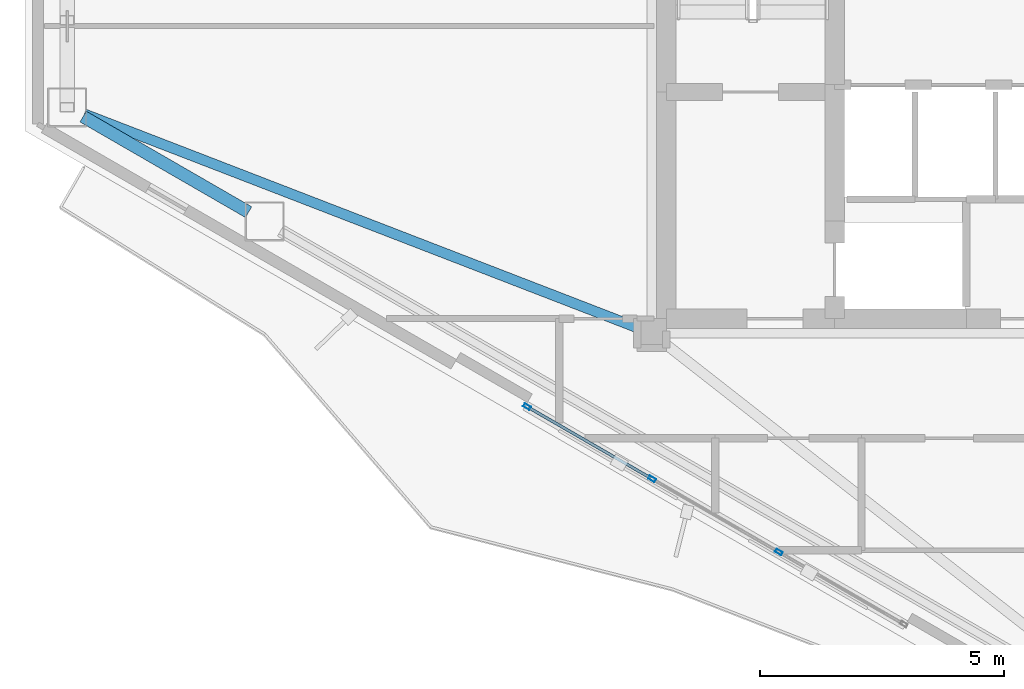
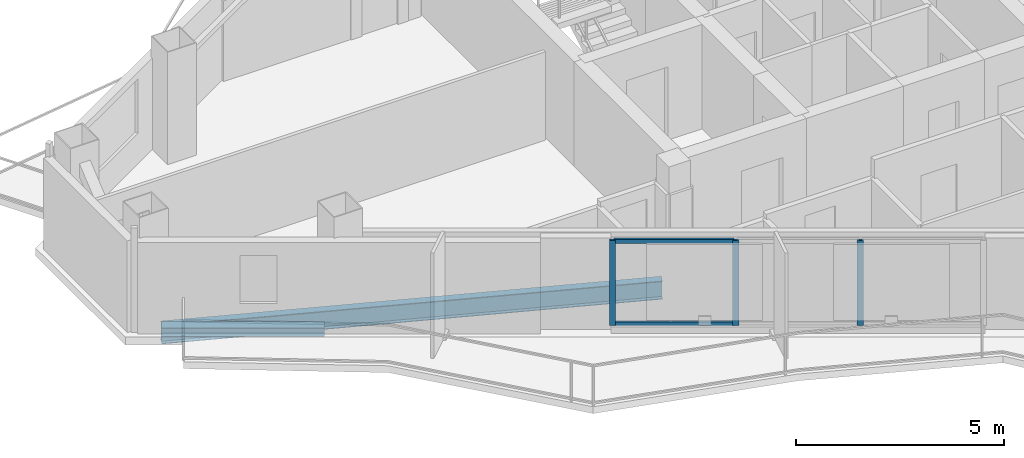
# One storey, part 2 of 21: 5 members, 2 beams, 1 element without a shape of its own.
"""IFC4 building model written with IfcOpenShell, lengths in metres."""

from ifc_helpers import new_model, si_unit, direction, frame, origin, origin_2d, place, context, subcontext, project, spatial, hollow_rectangle, i_section, extrude, material, layer, layer_set, material_profile, profile_set, type_object, element, aggregate, save


model = new_model("IFC4")

# Units and contexts
model_context = context("Model", 3, precision=1e-05, world=origin(), true_north=direction((0.0, 1.0)))
body_context = subcontext(model_context, "Body", "Model", "MODEL_VIEW")
ifc_project = project(units=[si_unit("LENGTHUNIT", "METRE"), si_unit("AREAUNIT", "SQUARE_METRE"), si_unit("VOLUMEUNIT", "CUBIC_METRE"), si_unit("PLANEANGLEUNIT", "RADIAN"), si_unit("MASSUNIT", "GRAM", prefix="KILO")], contexts=[model_context])

# Site, building, storey
site_placement = place(None, origin())
site = spatial("IfcSite", under=ifc_project, at=site_placement, CompositionType="ELEMENT")
building_placement = place(site_placement, origin())
building = spatial("IfcBuilding", under=site, at=building_placement, Name="Mersakhor Tower and Convention Hall", CompositionType="ELEMENT")
storey_placement = place(building_placement, frame((0.0, 0.0, 211.800048828125)))
storey = spatial("IfcBuildingStorey", under=building, at=storey_placement, Name="L59", CompositionType="ELEMENT", Elevation=211.800048828125)

# Beams
ifc_material_1 = material(Name="Steel S355", Category="steel")
ifc_material_profile_1 = material_profile(ifc_material_1, i_section(OverallWidth=0.2099609375, OverallDepth=0.53662109375, WebThickness=0.0107421875, FlangeThickness=0.017333984375, at=origin_2d()), Name="UB 533x210x101")
ifc_profile_set_1 = profile_set([ifc_material_profile_1], Name="Steel S355")
beam_type_1 = type_object("IfcBeamType", Name="BM-FB-533", PredefinedType="BEAM", material=ifc_profile_set_1)
beam_1_placement = place(storey_placement, frame((21.638916015625, 20.55078125, -0.49853515625), z_axis=(-0.932761425449, 0.36049427623, 0.0), x_axis=(-0.36049427623, -0.932761425449, 0.0)))
element("IfcBeam", 1, at=beam_1_placement, inside=storey, type_object=beam_type_1, Name="L59 Primary Floor Girder FG-6", PredefinedType="BEAM", context=body_context, shape_type="SweptSolid", body=[
    extrude(i_section(OverallWidth=0.2099609375, OverallDepth=0.53662109375, WebThickness=0.0107421875, FlangeThickness=0.017333984375, at=origin_2d()), origin(), (0.0, 0.0, 1.0), 12.197021484375),
])
ifc_material_2 = material(Name="Steel S355", Category="steel")
ifc_material_profile_2 = material_profile(ifc_material_2, i_section(OverallWidth=0.25634765625, OverallDepth=0.26025390625, WebThickness=0.01025390625, FlangeThickness=0.017333984375, at=origin_2d()), Name="UC 254x254x89")
ifc_profile_set_2 = profile_set([ifc_material_profile_2], Name="Steel S355")
beam_type_2 = type_object("IfcBeamType", Name="BM-SPD-UC254", PredefinedType="SPANDREL", material=ifc_profile_set_2)
beam_2_placement = place(storey_placement, frame((13.630615234375, 22.93505859375, -0.360107421875), z_axis=(-0.866007153761, 0.500031608635, 0.0), x_axis=(-0.500031608635, -0.866007153761, 0.0)))
element("IfcBeam", 2, at=beam_2_placement, inside=storey, type_object=beam_type_2, Name="L59 Perimeter Spandrel Beam SPB-11", PredefinedType="SPANDREL", context=body_context, shape_type="SweptSolid", body=[
    extrude(i_section(OverallWidth=0.25634765625, OverallDepth=0.26025390625, WebThickness=0.01025390625, FlangeThickness=0.017333984375, at=origin_2d()), origin(), (0.0, 0.0, 1.0), 3.919189453125),
])

# Curtain wall, members
ifc_material_3 = material(Name="Dark solar low-E aluminium curtain wall", Category="aluminium")
ifc_layer = layer(ifc_material_3, 0.169921875)
ifc_layer_set = layer_set([ifc_layer], Name="Dark solar low-E aluminium curtain wall")
curtain_wall_type = type_object("IfcCurtainWallType", Name="CW-SYS-02", PredefinedType="USERDEFINED", material=ifc_layer_set)
curtain_wall_placement = place(storey_placement, origin())
curtain_wall = element("IfcCurtainWall", 3, at=curtain_wall_placement, inside=storey, type_object=curtain_wall_type, Name="L59 Dark-Glass Curtain Wall F3-B2", ObjectType="CURTAIN WALL", PredefinedType="USERDEFINED")
ifc_material_4 = material(Name="Anodised aluminium EN AW-6063 T6", Category="aluminium")
ifc_material_profile_3 = material_profile(ifc_material_4, hollow_rectangle(XDim=0.074951171875, YDim=0.14990234375, WallThickness=0.00634765625, at=origin_2d()), Name="RHS 150x75x6.3")
ifc_profile_set_3 = profile_set([ifc_material_profile_3], Name="Anodised aluminium EN AW-6063 T6")
member_type_1 = type_object("IfcMemberType", Name="CWM-150x75", PredefinedType="MULLION", material=ifc_profile_set_3)
member_1_placement = place(storey_placement, frame((24.504638671875, 15.964111328125, 0.199951171875), z_axis=(0.0, 0.0, 1.0), x_axis=(-0.500007824483, -0.86602088627, 0.0)))
member_1 = element("IfcMember", 4, at=member_1_placement, type_object=member_type_1, Name="CW-02 mullion 2", PredefinedType="MULLION", context=body_context, shape_type="SweptSolid", body=[
    extrude(hollow_rectangle(XDim=0.074951171875, YDim=0.14990234375, WallThickness=0.00634765625, at=origin_2d()), origin(), (0.0, 0.0, 1.0), 2.489990234375),
])
member_2_placement = place(storey_placement, frame((21.906982421875, 17.464111328125, 0.199951171875), z_axis=(0.0, 0.0, 1.0), x_axis=(-0.500007824483, -0.86602088627, 0.0)))
member_2 = element("IfcMember", 5, at=member_2_placement, type_object=member_type_1, Name="CW-02 mullion 3", PredefinedType="MULLION", context=body_context, shape_type="SweptSolid", body=[
    extrude(hollow_rectangle(XDim=0.074951171875, YDim=0.14990234375, WallThickness=0.00634765625, at=origin_2d()), origin(), (0.0, 0.0, 1.0), 2.489990234375),
])
member_3_placement = place(storey_placement, frame((19.341796875, 18.945068359375, 0.199951171875), z_axis=(0.0, 0.0, 1.0), x_axis=(-0.500007824483, -0.86602088627, 0.0)))
member_3 = element("IfcMember", 6, at=member_3_placement, type_object=member_type_1, Name="CW-02 mullion 4", PredefinedType="MULLION", context=body_context, shape_type="SweptSolid", body=[
    extrude(hollow_rectangle(XDim=0.074951171875, YDim=0.14990234375, WallThickness=0.00634765625, at=origin_2d()), origin(), (0.0, 0.0, 1.0), 2.489990234375),
])
ifc_material_5 = material(Name="Anodised aluminium EN AW-6063 T6", Category="aluminium")
ifc_material_profile_4 = material_profile(ifc_material_5, hollow_rectangle(XDim=0.06005859375, YDim=0.1201171875, WallThickness=0.0048828125, at=origin_2d()), Name="RHS 120x60x5")
ifc_profile_set_4 = profile_set([ifc_material_profile_4], Name="Anodised aluminium EN AW-6063 T6")
member_type_2 = type_object("IfcMemberType", Name="CWT-120x60", PredefinedType="USERDEFINED", material=ifc_profile_set_4)
member_4_placement = place(storey_placement, frame((21.87451171875, 17.48291015625, 0.22998046875), z_axis=(-0.86601237176, 0.50002257145, 0.0), x_axis=(-0.50002257145, -0.86601237176, 0.0)))
member_4 = element("IfcMember", 7, at=member_4_placement, type_object=member_type_2, Name="CW-02 transom 3.1", ObjectType="TRANSOM", PredefinedType="USERDEFINED", context=body_context, shape_type="SweptSolid", body=[
    extrude(hollow_rectangle(XDim=0.06005859375, YDim=0.1201171875, WallThickness=0.0048828125, at=origin_2d()), origin(), (0.0, 0.0, 1.0), 2.886962890625),
])
member_5_placement = place(storey_placement, frame((21.87451171875, 17.48291015625, 2.659912109375), z_axis=(-0.86601237176, 0.50002257145, 0.0), x_axis=(-0.50002257145, -0.86601237176, 0.0)))
member_5 = element("IfcMember", 8, at=member_5_placement, type_object=member_type_2, Name="CW-02 transom 3.2", ObjectType="TRANSOM", PredefinedType="USERDEFINED", context=body_context, shape_type="SweptSolid", body=[
    extrude(hollow_rectangle(XDim=0.06005859375, YDim=0.1201171875, WallThickness=0.0048828125, at=origin_2d()), origin(), (0.0, 0.0, 1.0), 2.886962890625),
])
aggregate(curtain_wall, [member_1, member_2, member_3, member_4, member_5])

save(model, "model.ifc")
